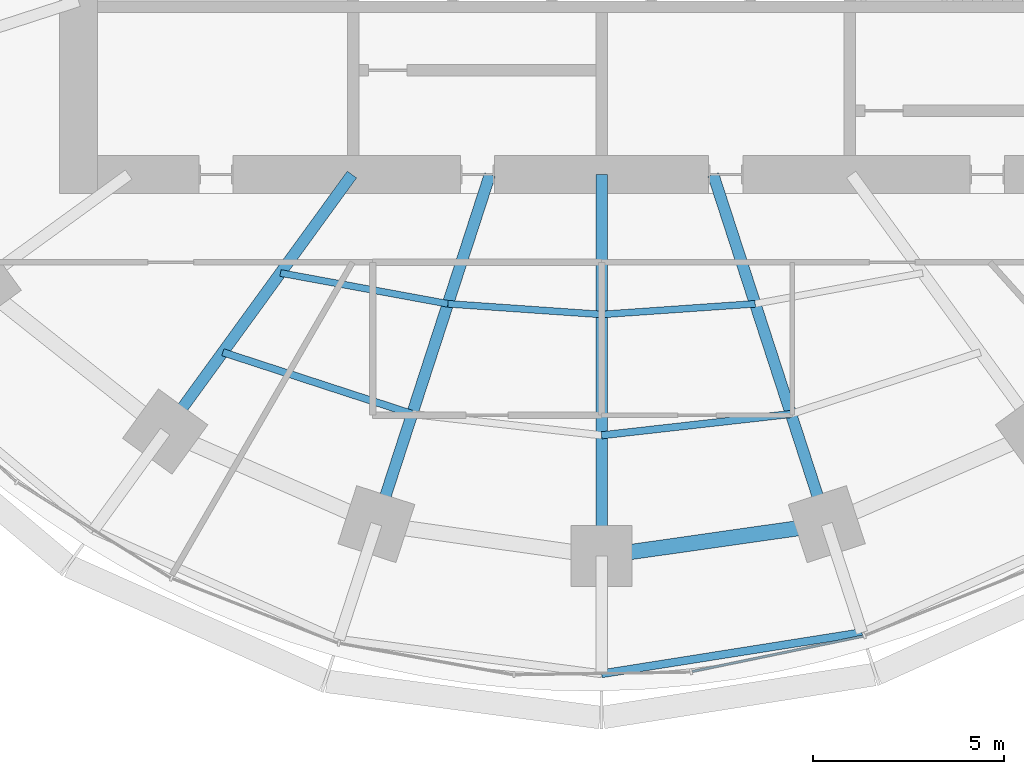
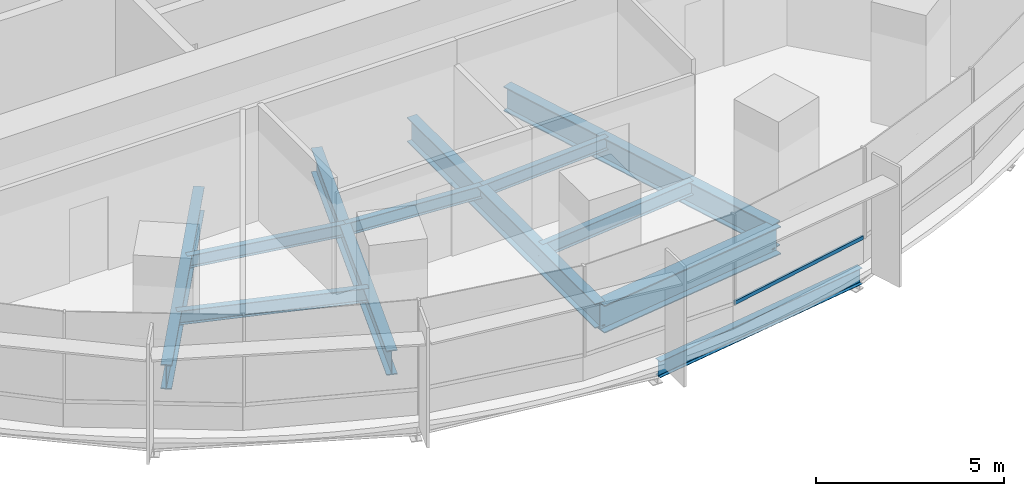
# One storey, part 3 of 14: 11 beams, 1 member, 1 element without a shape of its own.
"""IFC4 building model written with IfcOpenShell, lengths in metres."""

from ifc_helpers import new_model, si_unit, direction, frame, origin, origin_2d, place, context, subcontext, project, spatial, rectangle, i_section, extrude, material, material_profile, profile_set, type_object, element, aggregate, save


model = new_model("IFC4")

# Units and contexts
model_context = context("Model", 3, precision=1e-05, world=origin(), true_north=direction((0.0, 1.0)))
body_context = subcontext(model_context, "Body", "Model", "MODEL_VIEW")
ifc_project = project(units=[si_unit("LENGTHUNIT", "METRE"), si_unit("AREAUNIT", "SQUARE_METRE"), si_unit("VOLUMEUNIT", "CUBIC_METRE"), si_unit("PLANEANGLEUNIT", "RADIAN"), si_unit("MASSUNIT", "GRAM", prefix="KILO")], contexts=[model_context])

# Site, building, storey
site_placement = place(None, origin())
site = spatial("IfcSite", under=ifc_project, at=site_placement, CompositionType="ELEMENT")
building_placement = place(site_placement, origin())
building = spatial("IfcBuilding", under=site, at=building_placement, Name="Marramba Exchange Tower", CompositionType="ELEMENT")
storey_placement = place(building_placement, frame((0.0, 0.0, 115.800048828125)))
storey = spatial("IfcBuildingStorey", under=building, at=storey_placement, Name="L27", CompositionType="ELEMENT", Elevation=115.800048828125)

# Beams
ifc_material_1 = material(Name="Steel AS/NZS 3679.1 grade 300", Category="steel")
ifc_material_profile_1 = material_profile(ifc_material_1, i_section(OverallWidth=0.177978515625, OverallDepth=0.406005859375, WebThickness=0.0078125, FlangeThickness=0.0126953125, FilletRadius=0.011474609375, at=origin_2d()), Name="410UB59.7")
ifc_profile_set_1 = profile_set([ifc_material_profile_1], Name="Steel AS/NZS 3679.1 grade 300")
beam_type_1 = type_object("IfcBeamType", Name="Floor joist 410UB59.7", PredefinedType="JOIST", material=ifc_profile_set_1)
beam_1_placement = place(storey_placement, frame((-8.41162109375, -11.57763671875, -0.363037109375), z_axis=(0.983455754421, -0.181148500119, 0.0), x_axis=(0.181148500119, 0.983455754421, 0.0)))
element("IfcBeam", 1, at=beam_1_placement, inside=storey, type_object=beam_type_1, Name="Joist L27 bay 14 row 1", PredefinedType="JOIST", context=body_context, shape_type="SweptSolid", body=[
    extrude(i_section(OverallWidth=0.177978515625, OverallDepth=0.406005859375, WebThickness=0.0078125, FlangeThickness=0.0126953125, FilletRadius=0.011474609375, at=origin_2d()), origin(), (0.0, 0.0, 1.0), 4.4609375),
])
for number, where, z_axis, x_axis, name in (
    (2, (-4.0244140625, -12.3857421875, -0.363037109375), (0.99759625901, -0.069294328838, 0.0), (0.069294328838, 0.99759625901, 0.0), "Joist L27 bay 15 row 1"),
    (3, (0.0, -12.665283203125, -0.363037109375), (0.99759625901, 0.069294328838, 0.0), (-0.069294328838, 0.99759625901, 0.0), "Joist L27 bay 16 row 1"),
):
    element("IfcBeam", number, at=place(storey_placement, frame(where, z_axis=z_axis, x_axis=x_axis)), inside=storey, type_object=beam_type_1, Name=name, PredefinedType="JOIST", context=body_context, shape_type="SweptSolid", body=[
        extrude(i_section(OverallWidth=0.177978515625, OverallDepth=0.406005859375, WebThickness=0.0078125, FlangeThickness=0.0126953125, FilletRadius=0.011474609375, at=origin_2d()), origin(), (0.0, 0.0, 1.0), 4.0341796875),
    ])
ifc_material_profile_2 = material_profile(ifc_material_1, i_section(OverallWidth=0.18994140625, OverallDepth=0.4541015625, WebThickness=0.008544921875, FlangeThickness=0.0126953125, FilletRadius=0.011474609375, at=origin_2d()), Name="460UB67.1")
ifc_profile_set_2 = profile_set([ifc_material_profile_2], Name="Steel AS/NZS 3679.1 grade 300")
beam_type_2 = type_object("IfcBeamType", Name="Floor joist 460UB67.1", PredefinedType="JOIST", material=ifc_profile_set_2)
beam_2_placement = place(storey_placement, frame((-9.9208984375, -13.655029296875, -0.386962890625), z_axis=(0.950764024931, -0.309915744834, 0.0), x_axis=(0.309915744834, 0.950764024931, 0.0)))
element("IfcBeam", 4, at=beam_2_placement, inside=storey, type_object=beam_type_2, Name="Joist L27 bay 14 row 2", PredefinedType="JOIST", context=body_context, shape_type="SweptSolid", body=[
    extrude(i_section(OverallWidth=0.18994140625, OverallDepth=0.4541015625, WebThickness=0.008544921875, FlangeThickness=0.0126953125, FilletRadius=0.011474609375, at=origin_2d()), origin(), (0.0, 0.0, 1.0), 5.2158203125),
])
beam_3_placement = place(storey_placement, frame((0.0, -15.83056640625, -0.386962890625), z_axis=(0.993712018573, 0.111966174106, 0.0), x_axis=(-0.111966174106, 0.993712018573, 0.0)))
element("IfcBeam", 5, at=beam_3_placement, inside=storey, type_object=beam_type_2, Name="Joist L27 bay 16 row 2", PredefinedType="JOIST", context=body_context, shape_type="SweptSolid", body=[
    extrude(i_section(OverallWidth=0.18994140625, OverallDepth=0.4541015625, WebThickness=0.008544921875, FlangeThickness=0.0126953125, FilletRadius=0.011474609375, at=origin_2d()), origin(), (0.0, 0.0, 1.0), 4.993408203125),
])

# Curtain wall, member
ifc_material_2 = material(Name="Aluminium framing, bronze anodised", Category="aluminium")
curtain_wall_type = type_object("IfcCurtainWallType", Name="Office ribbon curtain wall", PredefinedType="USERDEFINED", material=ifc_material_2)
curtain_wall_placement = place(storey_placement, origin())
curtain_wall = element("IfcCurtainWall", 6, at=curtain_wall_placement, inside=storey, type_object=curtain_wall_type, Name="Curtain wall CW4 L27 F21-F25", ObjectType="RIBBON CURTAIN WALL", PredefinedType="USERDEFINED")
ifc_material_3 = material(Name="Aluminium transom, bronze anodised", Category="aluminium")
ifc_material_profile_3 = material_profile(ifc_material_3, rectangle(XDim=0.06005859375, YDim=0.1201171875, at=origin_2d()), Name="CW4 transom 60x120")
ifc_profile_set_3 = profile_set([ifc_material_profile_3], Name="Aluminium transom, bronze anodised")
member_type = type_object("IfcMemberType", Name="Office ribbon curtain wall transom", PredefinedType="USERDEFINED", material=ifc_profile_set_3)
member_placement = place(storey_placement, frame((2.374267578125, -22.017822265625, 0.829833984375), z_axis=(0.979310422034, 0.202363774661, 0.0), x_axis=(-0.202363774661, 0.979310422034, 0.0)))
member = element("IfcMember", 7, at=member_placement, type_object=member_type, Name="CW4 sill transom", ObjectType="TRANSOM", PredefinedType="USERDEFINED", context=body_context, shape_type="SweptSolid", body=[
    extrude(rectangle(XDim=0.06005859375, YDim=0.1201171875, at=origin_2d()), origin(), (0.0, 0.0, 1.0), 4.57373046875),
])
aggregate(curtain_wall, [member])

# Beams
ifc_material_4 = material(Name="Steel AS/NZS 3679.2 grade 300", Category="steel")
ifc_material_profile_4 = material_profile(ifc_material_4, i_section(OverallWidth=0.300048828125, OverallDepth=0.800048828125, WebThickness=0.013916015625, FlangeThickness=0.031982421875, at=origin_2d()), Name="800WB192")
ifc_profile_set_4 = profile_set([ifc_material_profile_4], Name="Steel AS/NZS 3679.2 grade 300")
beam_type_3 = type_object("IfcBeamType", Name="Radial girder 800WB192", PredefinedType="BEAM", material=ifc_profile_set_4)
beam_4_placement = place(storey_placement, frame((-6.538818359375, -9.0, -0.56005859375), z_axis=(-0.587787877172, -0.809015087282, 0.0), x_axis=(0.809015087282, -0.587787877172, 0.0)))
element("IfcBeam", 8, at=beam_4_placement, inside=storey, type_object=beam_type_3, Name="Radial girder L27 TC14", PredefinedType="BEAM", context=body_context, shape_type="SweptSolid", body=[
    extrude(i_section(OverallWidth=0.300048828125, OverallDepth=0.800048828125, WebThickness=0.013916015625, FlangeThickness=0.031982421875, at=origin_2d()), origin(), (0.0, 0.0, 1.0), 8.322021484375),
])
beam_5_placement = place(storey_placement, frame((-2.92431640625, -9.0, -0.56005859375), z_axis=(-0.309022428985, -0.951054750466, 0.0), x_axis=(0.951054750466, -0.309022428985, 0.0)))
element("IfcBeam", 9, at=beam_5_placement, inside=storey, type_object=beam_type_3, Name="Radial girder L27 TC15", PredefinedType="BEAM", context=body_context, shape_type="SweptSolid", body=[
    extrude(i_section(OverallWidth=0.300048828125, OverallDepth=0.800048828125, WebThickness=0.013916015625, FlangeThickness=0.031982421875, at=origin_2d()), origin(), (0.0, 0.0, 1.0), 9.628173828125),
])
beam_6_placement = place(storey_placement, frame((0.0, -9.0, -0.56005859375), z_axis=(0.0, -1.0, 0.0), x_axis=(1.0, 0.0, 0.0)))
element("IfcBeam", 10, at=beam_6_placement, inside=storey, type_object=beam_type_3, Name="Radial girder L27 TC16", PredefinedType="BEAM", context=body_context, shape_type="SweptSolid", body=[
    extrude(i_section(OverallWidth=0.300048828125, OverallDepth=0.800048828125, WebThickness=0.013916015625, FlangeThickness=0.031982421875, at=origin_2d()), origin(), (0.0, 0.0, 1.0), 9.99609375),
])
beam_7_placement = place(storey_placement, frame((2.92431640625, -9.0, -0.56005859375), z_axis=(0.309022428985, -0.951054750466, 0.0), x_axis=(0.951054750466, 0.309022428985, 0.0)))
element("IfcBeam", 11, at=beam_7_placement, inside=storey, type_object=beam_type_3, Name="Radial girder L27 TC17", PredefinedType="BEAM", context=body_context, shape_type="SweptSolid", body=[
    extrude(i_section(OverallWidth=0.300048828125, OverallDepth=0.800048828125, WebThickness=0.013916015625, FlangeThickness=0.031982421875, at=origin_2d()), origin(), (0.0, 0.0, 1.0), 9.628173828125),
])
ifc_material_profile_5 = material_profile(ifc_material_4, i_section(OverallWidth=0.39990234375, OverallDepth=0.89990234375, WebThickness=0.01611328125, FlangeThickness=0.031982421875, at=origin_2d()), Name="900WB282")
ifc_profile_set_5 = profile_set([ifc_material_profile_5], Name="Steel AS/NZS 3679.2 grade 300")
beam_type_4 = type_object("IfcBeamType", Name="Ring beam 900WB282", PredefinedType="SPANDREL", material=ifc_profile_set_5)
beam_8_placement = place(storey_placement, frame((0.0, -18.99609375, -0.610107421875), z_axis=(0.990036163016, 0.140813337152, 0.0), x_axis=(-0.140813337152, 0.990036163016, 0.0)))
element("IfcBeam", 12, at=beam_8_placement, inside=storey, type_object=beam_type_4, Name="Ring beam L27 TC16-TC17", PredefinedType="SPANDREL", context=body_context, shape_type="SweptSolid", body=[
    extrude(i_section(OverallWidth=0.39990234375, OverallDepth=0.89990234375, WebThickness=0.01611328125, FlangeThickness=0.031982421875, at=origin_2d()), origin(), (0.0, 0.0, 1.0), 5.958984375),
])
ifc_material_profile_6 = material_profile(ifc_material_1, i_section(OverallWidth=0.208984375, OverallDepth=0.528076171875, WebThickness=0.009521484375, FlangeThickness=0.01318359375, FilletRadius=0.013916015625, at=origin_2d()), Name="530UB82.0")
ifc_profile_set_6 = profile_set([ifc_material_profile_6], Name="Steel AS/NZS 3679.1 grade 300")
beam_type_5 = type_object("IfcBeamType", Name="Slab edge beam 530UB82.0", PredefinedType="SPANDREL", material=ifc_profile_set_6)
beam_9_placement = place(storey_placement, frame((0.0, -22.076904296875, -0.424072265625), z_axis=(0.987705008555, 0.15632919137, 0.0), x_axis=(-0.15632919137, 0.987705008555, 0.0)))
element("IfcBeam", 13, at=beam_9_placement, inside=storey, type_object=beam_type_5, Name="Slab edge beam L27 TC16-TC17", PredefinedType="SPANDREL", context=body_context, shape_type="SweptSolid", body=[
    extrude(i_section(OverallWidth=0.208984375, OverallDepth=0.528076171875, WebThickness=0.009521484375, FlangeThickness=0.01318359375, FilletRadius=0.013916015625, at=origin_2d()), origin(), (0.0, 0.0, 1.0), 6.907470703125),
])

save(model, "model.ifc")
